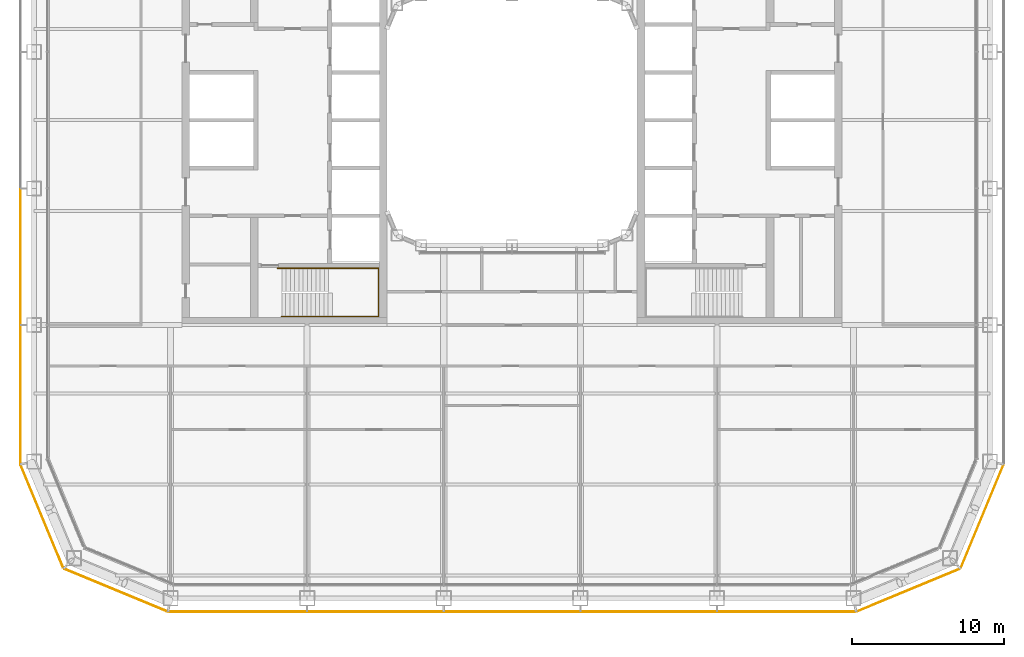
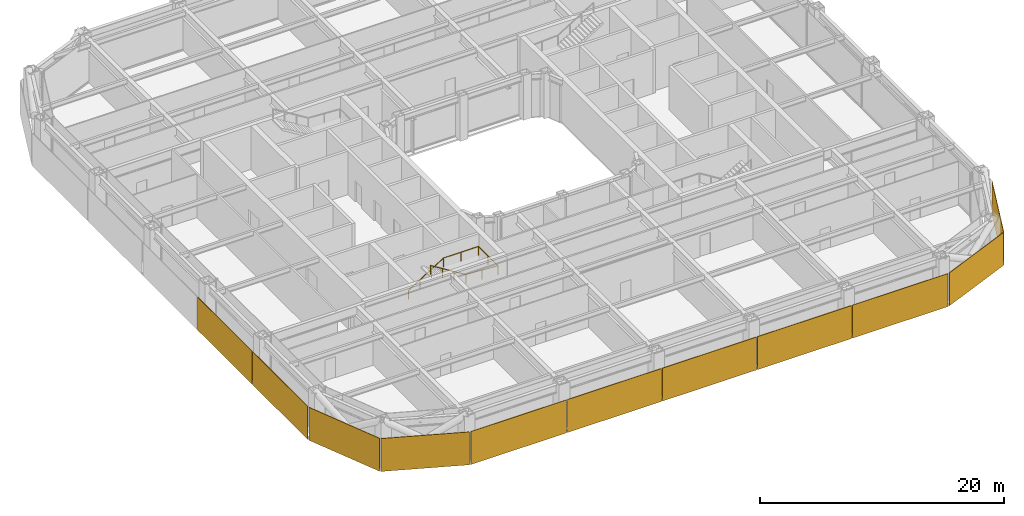
# One storey, part 20 of 24: 11 coverings, 1 railing.
"""IFC4 building model written with IfcOpenShell, lengths in metres."""

from ifc_helpers import new_model, si_unit, direction, frame, origin, origin_2d, place, context, subcontext, project, spatial, rectangle, circle, extrude, material, layer, layer_set, type_object, element, save


model = new_model("IFC4")

# Units and contexts
model_context = context("Model", 3, precision=1e-05, world=origin(), true_north=direction((0.0, 1.0)))
body_context = subcontext(model_context, "Body", "Model", "MODEL_VIEW")
ifc_project = project(units=[si_unit("LENGTHUNIT", "METRE"), si_unit("AREAUNIT", "SQUARE_METRE"), si_unit("VOLUMEUNIT", "CUBIC_METRE"), si_unit("PLANEANGLEUNIT", "RADIAN"), si_unit("MASSUNIT", "GRAM", prefix="KILO")], contexts=[model_context])

# Site, building, storey
site_placement = place(None, origin())
site = spatial("IfcSite", under=ifc_project, at=site_placement, CompositionType="ELEMENT")
building_placement = place(site_placement, origin())
building = spatial("IfcBuilding", under=site, at=building_placement, Name="Siwar Civic Tower", CompositionType="ELEMENT")
storey_placement = place(building_placement, frame((0.0, 0.0, 76.199951171875)))
storey = spatial("IfcBuildingStorey", under=building, at=storey_placement, Name="L16", CompositionType="ELEMENT", Elevation=76.199951171875)

# Railing
ifc_material_1 = material(Name="Stainless steel", Category="steel")
railing_type = type_object("IfcRailingType", Name="CORE-STAIR-HANDRAIL", PredefinedType="HANDRAIL", material=ifc_material_1)
railing_placement = place(storey_placement, frame((-15.449951171875, -9.758056640625, 0.173095703125)))
element("IfcRailing", 1, at=railing_placement, inside=storey, type_object=railing_type, Name="Stair handrail ST2", PredefinedType="HANDRAIL", context=body_context, shape_type="SweptSolid", body=[
    extrude(circle(Radius=0.02001953125, at=origin_2d()), frame((0.0, 0.0, 0.8798828125), z_axis=(0.847063342986, 0.0, 0.531491950051), x_axis=(0.0, 1.0, 0.0)), (0.0, 0.0, 1.0), 3.90771484375),
    extrude(circle(Radius=0.02001953125, at=origin_2d()), frame((3.31005859375, 0.0, 2.956787109375), z_axis=(1.0, 0.0, 0.0), x_axis=(0.0, 1.0, 0.0)), (0.0, 0.0, 1.0), 3.331787109375),
    extrude(circle(Radius=0.02001953125, at=origin_2d()), frame((6.641845703125, 0.0, 2.956787109375), z_axis=(0.0, -1.0, 0.0), x_axis=(1.0, 0.0, 0.0)), (0.0, 0.0, 1.0), 3.183837890625),
    extrude(circle(Radius=0.02001953125, at=origin_2d()), frame((6.641845703125, -3.183837890625, 2.956787109375), z_axis=(-0.99837434197, 0.0, 0.056997134106), x_axis=(0.0, -1.0, 0.0)), (0.0, 0.0, 1.0), 3.036865234375),
    extrude(circle(Radius=0.02001953125, at=origin_2d()), frame((3.60986328125, -3.183837890625, 3.1298828125), z_axis=(-0.850606129759, 0.0, 0.525803396734), x_axis=(0.0, -1.0, 0.0)), (0.0, 0.0, 1.0), 3.949951171875),
    extrude(circle(Radius=0.02001953125, at=origin_2d()), origin(), (0.0, 0.0, 1.0), 0.85986328125),
    extrude(circle(Radius=0.02001953125, at=origin_2d()), frame((1.103271484375, 0.0, 0.6923828125)), (0.0, 0.0, 1.0), 0.85986328125),
    extrude(circle(Radius=0.02001953125, at=origin_2d()), frame((2.206787109375, 0.0, 1.384521484375)), (0.0, 0.0, 1.0), 0.85986328125),
    extrude(circle(Radius=0.02001953125, at=origin_2d()), frame((3.31005859375, 0.0, 2.076904296875)), (0.0, 0.0, 1.0), 0.85986328125),
    extrude(circle(Radius=0.02001953125, at=origin_2d()), frame((4.97607421875, 0.0, 2.076904296875)), (0.0, 0.0, 1.0), 0.85986328125),
    extrude(circle(Radius=0.02001953125, at=origin_2d()), frame((6.641845703125, 0.0, 2.076904296875)), (0.0, 0.0, 1.0), 0.85986328125),
    extrude(circle(Radius=0.02001953125, at=origin_2d()), frame((6.641845703125, -1.591796875, 2.076904296875)), (0.0, 0.0, 1.0), 0.85986328125),
    extrude(circle(Radius=0.02001953125, at=origin_2d()), frame((6.641845703125, -3.183837890625, 2.076904296875)), (0.0, 0.0, 1.0), 0.85986328125),
    extrude(circle(Radius=0.02001953125, at=origin_2d()), frame((5.1259765625, -3.183837890625, 2.16357421875)), (0.0, 0.0, 1.0), 0.85986328125),
    extrude(circle(Radius=0.02001953125, at=origin_2d()), frame((3.60986328125, -3.183837890625, 2.25)), (0.0, 0.0, 1.0), 0.85986328125),
    extrude(circle(Radius=0.02001953125, at=origin_2d()), frame((2.489990234375, -3.183837890625, 2.9423828125)), (0.0, 0.0, 1.0), 0.85986328125),
    extrude(circle(Radius=0.02001953125, at=origin_2d()), frame((1.369873046875, -3.183837890625, 3.634521484375)), (0.0, 0.0, 1.0), 0.85986328125),
    extrude(circle(Radius=0.02001953125, at=origin_2d()), frame((0.25, -3.183837890625, 4.326904296875)), (0.0, 0.0, 1.0), 0.85986328125),
])

# Coverings
ifc_material_2 = material(Name="Perforated aluminium cassette, pale metal", Category="aluminium")
ifc_layer_1 = layer(ifc_material_2, 0.044921875)
ifc_layer_set_1 = layer_set([ifc_layer_1], Name="Perforated aluminium cassette, pale metal")
covering_type_1 = type_object("IfcCoveringType", Name="ENV-OUTER SKIN OS-2", PredefinedType="CLADDING", material=ifc_layer_set_1)
covering_1_placement = place(storey_placement, frame((30.976318359375, -26.115966796875, -0.14990234375), z_axis=(0.0, 0.0, 1.0), x_axis=(0.382683432365, 0.923879532511, 0.0)))
element("IfcCovering", 2, at=covering_1_placement, inside=storey, type_object=covering_type_1, Name="OUTER SKIN OS-2 SE2 1", PredefinedType="CLADDING", context=body_context, shape_type="SweptSolid", body=[
    extrude(rectangle(XDim=7.300048828125, YDim=0.044921875, at=origin_2d()), origin(), (0.0, 0.0, 1.0), 3.300048828125),
])
ifc_material_3 = material(Name="Perforated aluminium cassette, pale metal", Category="aluminium")
ifc_layer_2 = layer(ifc_material_3, 0.050048828125)
ifc_layer_set_2 = layer_set([ifc_layer_2], Name="Perforated aluminium cassette, pale metal")
covering_type_2 = type_object("IfcCoveringType", Name="ENV-OUTER SKIN OS-3", PredefinedType="CLADDING", material=ifc_layer_set_2)
covering_2_placement = place(storey_placement, frame((26.115966796875, -30.976318359375, -0.14990234375), z_axis=(0.0, 0.0, 1.0), x_axis=(0.923879532511, 0.382683432365, 0.0)))
element("IfcCovering", 3, at=covering_2_placement, inside=storey, type_object=covering_type_2, Name="OUTER SKIN OS-3 SE1 1", PredefinedType="CLADDING", context=body_context, shape_type="SweptSolid", body=[
    extrude(rectangle(XDim=7.300048828125, YDim=0.050048828125, at=origin_2d()), origin(), (0.0, 0.0, 1.0), 3.300048828125),
])
covering_3_placement = place(storey_placement, frame((-32.39990234375, -9.0, -0.14990234375), z_axis=(0.0, 0.0, 1.0), x_axis=(0.0, -1.0, 0.0)))
element("IfcCovering", 4, at=covering_3_placement, inside=storey, type_object=covering_type_2, Name="OUTER SKIN OS-3 W 4", PredefinedType="CLADDING", context=body_context, shape_type="SweptSolid", body=[
    extrude(rectangle(XDim=8.89990234375, YDim=0.050048828125, at=origin_2d()), origin(), (0.0, 0.0, 1.0), 3.300048828125),
])
covering_4_placement = place(storey_placement, frame((-32.39990234375, -18.07958984375, -0.14990234375), z_axis=(0.0, 0.0, 1.0), x_axis=(0.0, -1.0, 0.0)))
element("IfcCovering", 5, at=covering_4_placement, inside=storey, type_object=covering_type_2, Name="OUTER SKIN OS-3 W 5", PredefinedType="CLADDING", context=body_context, shape_type="SweptSolid", body=[
    extrude(rectangle(XDim=9.05908203125, YDim=0.050048828125, at=origin_2d()), origin(), (0.0, 0.0, 1.0), 3.300048828125),
])
ifc_material_4 = material(Name="Perforated aluminium cassette, pale metal", Category="aluminium")
ifc_layer_3 = layer(ifc_material_4, 0.054931640625)
ifc_layer_set_3 = layer_set([ifc_layer_3], Name="Perforated aluminium cassette, pale metal")
covering_type_3 = type_object("IfcCoveringType", Name="ENV-OUTER SKIN OS-4", PredefinedType="CLADDING", material=ifc_layer_set_3)
covering_5_placement = place(storey_placement, frame((-18.07958984375, -32.39990234375, -0.14990234375), z_axis=(0.0, 0.0, 1.0), x_axis=(1.0, 0.0, 0.0)))
element("IfcCovering", 6, at=covering_5_placement, inside=storey, type_object=covering_type_3, Name="OUTER SKIN OS-4 S 1", PredefinedType="CLADDING", context=body_context, shape_type="SweptSolid", body=[
    extrude(rectangle(XDim=9.05908203125, YDim=0.054931640625, at=origin_2d()), origin(), (0.0, 0.0, 1.0), 3.300048828125),
])
for number, where, z_axis, x_axis, name in (
    (7, (-9.0, -32.39990234375, -0.14990234375), (0.0, 0.0, 1.0), (1.0, 0.0, 0.0), "OUTER SKIN OS-4 S 2"),
    (8, (0.0, -32.39990234375, -0.14990234375), (0.0, 0.0, 1.0), (1.0, 0.0, 0.0), "OUTER SKIN OS-4 S 3"),
    (9, (9.0, -32.39990234375, -0.14990234375), (0.0, 0.0, 1.0), (1.0, 0.0, 0.0), "OUTER SKIN OS-4 S 4"),
):
    element("IfcCovering", number, at=place(storey_placement, frame(where, z_axis=z_axis, x_axis=x_axis)), inside=storey, type_object=covering_type_3, Name=name, PredefinedType="CLADDING", context=body_context, shape_type="SweptSolid", body=[
        extrude(rectangle(XDim=8.89990234375, YDim=0.054931640625, at=origin_2d()), origin(), (0.0, 0.0, 1.0), 3.300048828125),
    ])
covering_6_placement = place(storey_placement, frame((18.07958984375, -32.39990234375, -0.14990234375), z_axis=(0.0, 0.0, 1.0), x_axis=(1.0, 0.0, 0.0)))
element("IfcCovering", 10, at=covering_6_placement, inside=storey, type_object=covering_type_3, Name="OUTER SKIN OS-4 S 5", PredefinedType="CLADDING", context=body_context, shape_type="SweptSolid", body=[
    extrude(rectangle(XDim=9.05908203125, YDim=0.054931640625, at=origin_2d()), origin(), (0.0, 0.0, 1.0), 3.300048828125),
])
for number, where, z_axis, x_axis, name in (
    (11, (-30.976318359375, -26.115966796875, -0.14990234375), (0.0, 0.0, 1.0), (0.382683432365, -0.923879532511, 0.0), "OUTER SKIN OS-4 SW1 1"),
    (12, (-26.115966796875, -30.976318359375, -0.14990234375), (0.0, 0.0, 1.0), (0.923879532511, -0.382683432365, 0.0), "OUTER SKIN OS-4 SW2 1"),
):
    element("IfcCovering", number, at=place(storey_placement, frame(where, z_axis=z_axis, x_axis=x_axis)), inside=storey, type_object=covering_type_3, Name=name, PredefinedType="CLADDING", context=body_context, shape_type="SweptSolid", body=[
        extrude(rectangle(XDim=7.300048828125, YDim=0.054931640625, at=origin_2d()), origin(), (0.0, 0.0, 1.0), 3.300048828125),
    ])

save(model, "model.ifc")
